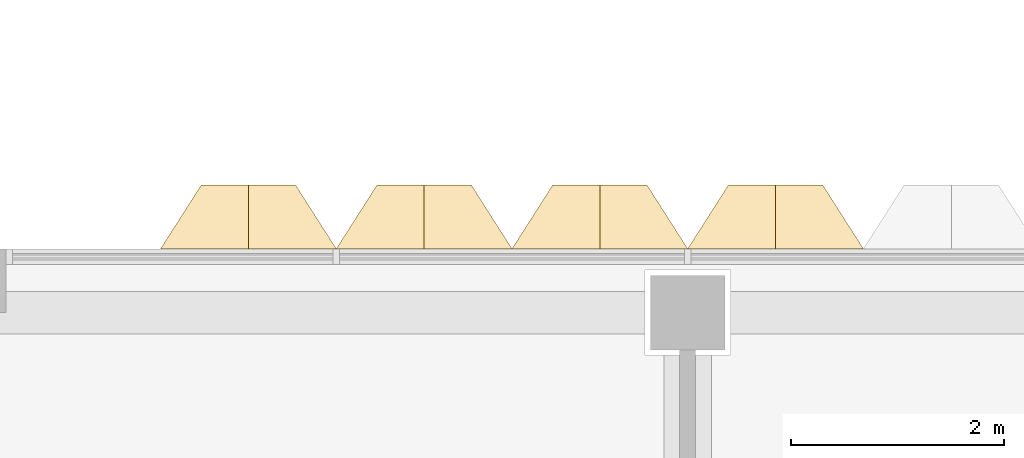
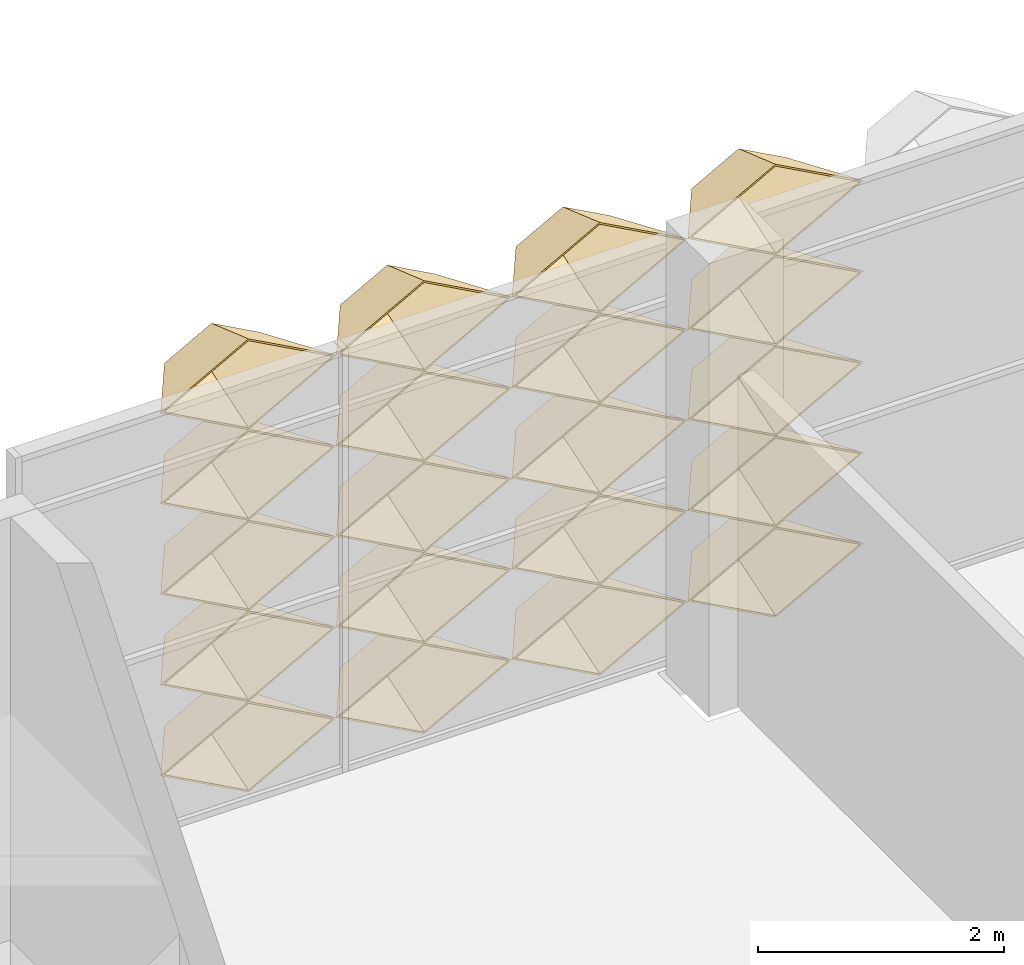
# One storey, part 72 of 109: 20 coverings.
"""IFC4 building model written with IfcOpenShell, lengths in metres."""

from ifc_helpers import new_model, entity, si_unit, direction, frame, origin, place, context, subcontext, project, spatial, material, layer, layer_set, type_object, element, save


model = new_model("IFC4")

# Units and contexts
model_context = context("Model", 3, precision=1e-05, world=origin(), true_north=direction((0.0, 1.0)))
body_context = subcontext(model_context, "Body", "Model", "MODEL_VIEW")
ifc_project = project(units=[si_unit("LENGTHUNIT", "METRE"), si_unit("AREAUNIT", "SQUARE_METRE"), si_unit("VOLUMEUNIT", "CUBIC_METRE"), si_unit("PLANEANGLEUNIT", "RADIAN"), si_unit("MASSUNIT", "GRAM", prefix="KILO")], contexts=[model_context])

# Site, building, storey
site_placement = place(None, origin())
site = spatial("IfcSite", under=ifc_project, at=site_placement, CompositionType="ELEMENT")
building_placement = place(site_placement, origin())
building = spatial("IfcBuilding", under=site, at=building_placement, Name="Lantern Court Research Institute", CompositionType="ELEMENT")
storey_placement = place(building_placement, frame((0.0, 0.0, 14.39990234375)))
storey = spatial("IfcBuildingStorey", under=building, at=storey_placement, Name="L03", CompositionType="ELEMENT", Elevation=14.39990234375)

# Coverings
ifc_material = material(Name="Anodised aluminium", Category="aluminium")
ifc_layer = layer(ifc_material, 0.01611328125)
ifc_layer_set = layer_set([ifc_layer], Name="Anodised aluminium")
covering_type = type_object("IfcCoveringType", Name="Fin cassette 1650 x 900 x 600 aluminium", PredefinedType="CLADDING", material=ifc_layer_set)
covering_1_placement = place(storey_placement, frame((9.074951171875, 23.699951171875, 0.4501953125), z_axis=(0.0, 1.0, 0.0), x_axis=(-1.0, 0.0, 0.0)))
cartesian_point_1 = entity("IfcCartesianPoint", [0.824951171875, 0.0])
cartesian_point_2 = entity("IfcCartesianPoint", [0.79150390625, 0.0])
cartesian_point_3 = entity("IfcCartesianPoint", [0.44189453125, 0.0])
cartesian_point_4 = entity("IfcCartesianPoint", [0.43359375, 0.0])
element("IfcCovering", 1, at=covering_1_placement, inside=storey, type_object=covering_type, Name="Fin cassette V4N-L03 1.6", PredefinedType="CLADDING", context=body_context, shape_type="SweptSolid", body=[
    entity("IfcExtrudedAreaSolidTapered", entity("IfcArbitraryProfileDefWithVoids", "AREA", None, entity("IfcPolyline", [cartesian_point_1, entity("IfcCartesianPoint", [0.0, 0.449951171875]), entity("IfcCartesianPoint", [-0.824951171875, 0.0]), entity("IfcCartesianPoint", [0.0, -0.449951171875]), cartesian_point_1]), [entity("IfcPolyline", [cartesian_point_2, entity("IfcCartesianPoint", [0.0, 0.431884765625]), entity("IfcCartesianPoint", [-0.79150390625, 0.0]), entity("IfcCartesianPoint", [0.0, -0.431884765625]), cartesian_point_2])]), entity("IfcAxis2Placement3D", entity("IfcCartesianPoint", [0.0, 0.0, 0.0])), entity("IfcDirection", [0.0, 0.0, 1.0]), 0.60009765625, entity("IfcArbitraryProfileDefWithVoids", "AREA", None, entity("IfcPolyline", [cartesian_point_3, entity("IfcCartesianPoint", [0.0, 0.240966796875]), entity("IfcCartesianPoint", [-0.44189453125, 0.0]), entity("IfcCartesianPoint", [0.0, -0.240966796875]), cartesian_point_3]), [entity("IfcPolyline", [cartesian_point_4, entity("IfcCartesianPoint", [0.0, 0.236572265625]), entity("IfcCartesianPoint", [-0.43359375, 0.0]), entity("IfcCartesianPoint", [0.0, -0.236572265625]), cartesian_point_4])])),
])
covering_2_placement = place(storey_placement, frame((10.72509765625, 23.699951171875, 0.4501953125), z_axis=(0.0, 1.0, 0.0), x_axis=(-1.0, 0.0, 0.0)))
cartesian_point_5 = entity("IfcCartesianPoint", [0.824951171875, 0.0])
cartesian_point_6 = entity("IfcCartesianPoint", [0.79150390625, 0.0])
cartesian_point_7 = entity("IfcCartesianPoint", [0.44189453125, 0.0])
cartesian_point_8 = entity("IfcCartesianPoint", [0.43359375, 0.0])
element("IfcCovering", 2, at=covering_2_placement, inside=storey, type_object=covering_type, Name="Fin cassette V4N-L03 1.7", PredefinedType="CLADDING", context=body_context, shape_type="SweptSolid", body=[
    entity("IfcExtrudedAreaSolidTapered", entity("IfcArbitraryProfileDefWithVoids", "AREA", None, entity("IfcPolyline", [cartesian_point_5, entity("IfcCartesianPoint", [0.0, 0.449951171875]), entity("IfcCartesianPoint", [-0.824951171875, 0.0]), entity("IfcCartesianPoint", [0.0, -0.449951171875]), cartesian_point_5]), [entity("IfcPolyline", [cartesian_point_6, entity("IfcCartesianPoint", [0.0, 0.431884765625]), entity("IfcCartesianPoint", [-0.79150390625, 0.0]), entity("IfcCartesianPoint", [0.0, -0.431884765625]), cartesian_point_6])]), entity("IfcAxis2Placement3D", entity("IfcCartesianPoint", [0.0, 0.0, 0.0])), entity("IfcDirection", [0.0, 0.0, 1.0]), 0.60009765625, entity("IfcArbitraryProfileDefWithVoids", "AREA", None, entity("IfcPolyline", [cartesian_point_7, entity("IfcCartesianPoint", [0.0, 0.240966796875]), entity("IfcCartesianPoint", [-0.44189453125, 0.0]), entity("IfcCartesianPoint", [0.0, -0.240966796875]), cartesian_point_7]), [entity("IfcPolyline", [cartesian_point_8, entity("IfcCartesianPoint", [0.0, 0.236572265625]), entity("IfcCartesianPoint", [-0.43359375, 0.0]), entity("IfcCartesianPoint", [0.0, -0.236572265625]), cartesian_point_8])])),
])
covering_3_placement = place(storey_placement, frame((12.375, 23.699951171875, 0.4501953125), z_axis=(0.0, 1.0, 0.0), x_axis=(-1.0, 0.0, 0.0)))
cartesian_point_9 = entity("IfcCartesianPoint", [0.824951171875, 0.0])
cartesian_point_10 = entity("IfcCartesianPoint", [0.79150390625, 0.0])
cartesian_point_11 = entity("IfcCartesianPoint", [0.44189453125, 0.0])
cartesian_point_12 = entity("IfcCartesianPoint", [0.43359375, 0.0])
element("IfcCovering", 3, at=covering_3_placement, inside=storey, type_object=covering_type, Name="Fin cassette V4N-L03 1.8", PredefinedType="CLADDING", context=body_context, shape_type="SweptSolid", body=[
    entity("IfcExtrudedAreaSolidTapered", entity("IfcArbitraryProfileDefWithVoids", "AREA", None, entity("IfcPolyline", [cartesian_point_9, entity("IfcCartesianPoint", [0.0, 0.449951171875]), entity("IfcCartesianPoint", [-0.824951171875, 0.0]), entity("IfcCartesianPoint", [0.0, -0.449951171875]), cartesian_point_9]), [entity("IfcPolyline", [cartesian_point_10, entity("IfcCartesianPoint", [0.0, 0.431884765625]), entity("IfcCartesianPoint", [-0.79150390625, 0.0]), entity("IfcCartesianPoint", [0.0, -0.431884765625]), cartesian_point_10])]), entity("IfcAxis2Placement3D", entity("IfcCartesianPoint", [0.0, 0.0, 0.0])), entity("IfcDirection", [0.0, 0.0, 1.0]), 0.60009765625, entity("IfcArbitraryProfileDefWithVoids", "AREA", None, entity("IfcPolyline", [cartesian_point_11, entity("IfcCartesianPoint", [0.0, 0.240966796875]), entity("IfcCartesianPoint", [-0.44189453125, 0.0]), entity("IfcCartesianPoint", [0.0, -0.240966796875]), cartesian_point_11]), [entity("IfcPolyline", [cartesian_point_12, entity("IfcCartesianPoint", [0.0, 0.236572265625]), entity("IfcCartesianPoint", [-0.43359375, 0.0]), entity("IfcCartesianPoint", [0.0, -0.236572265625]), cartesian_point_12])])),
])
covering_4_placement = place(storey_placement, frame((14.02490234375, 23.699951171875, 0.4501953125), z_axis=(0.0, 1.0, 0.0), x_axis=(-1.0, 0.0, 0.0)))
cartesian_point_13 = entity("IfcCartesianPoint", [0.824951171875, 0.0])
cartesian_point_14 = entity("IfcCartesianPoint", [0.79150390625, 0.0])
cartesian_point_15 = entity("IfcCartesianPoint", [0.44189453125, 0.0])
cartesian_point_16 = entity("IfcCartesianPoint", [0.43359375, 0.0])
element("IfcCovering", 4, at=covering_4_placement, inside=storey, type_object=covering_type, Name="Fin cassette V4N-L03 1.9", PredefinedType="CLADDING", context=body_context, shape_type="SweptSolid", body=[
    entity("IfcExtrudedAreaSolidTapered", entity("IfcArbitraryProfileDefWithVoids", "AREA", None, entity("IfcPolyline", [cartesian_point_13, entity("IfcCartesianPoint", [0.0, 0.449951171875]), entity("IfcCartesianPoint", [-0.824951171875, 0.0]), entity("IfcCartesianPoint", [0.0, -0.449951171875]), cartesian_point_13]), [entity("IfcPolyline", [cartesian_point_14, entity("IfcCartesianPoint", [0.0, 0.431884765625]), entity("IfcCartesianPoint", [-0.79150390625, 0.0]), entity("IfcCartesianPoint", [0.0, -0.431884765625]), cartesian_point_14])]), entity("IfcAxis2Placement3D", entity("IfcCartesianPoint", [0.0, 0.0, 0.0])), entity("IfcDirection", [0.0, 0.0, 1.0]), 0.60009765625, entity("IfcArbitraryProfileDefWithVoids", "AREA", None, entity("IfcPolyline", [cartesian_point_15, entity("IfcCartesianPoint", [0.0, 0.240966796875]), entity("IfcCartesianPoint", [-0.44189453125, 0.0]), entity("IfcCartesianPoint", [0.0, -0.240966796875]), cartesian_point_15]), [entity("IfcPolyline", [cartesian_point_16, entity("IfcCartesianPoint", [0.0, 0.236572265625]), entity("IfcCartesianPoint", [-0.43359375, 0.0]), entity("IfcCartesianPoint", [0.0, -0.236572265625]), cartesian_point_16])])),
])
covering_5_placement = place(storey_placement, frame((9.074951171875, 23.699951171875, 1.35009765625), z_axis=(0.0, 1.0, 0.0), x_axis=(-1.0, 0.0, 0.0)))
cartesian_point_17 = entity("IfcCartesianPoint", [0.824951171875, 0.0])
cartesian_point_18 = entity("IfcCartesianPoint", [0.79150390625, 0.0])
cartesian_point_19 = entity("IfcCartesianPoint", [0.44189453125, 0.0])
cartesian_point_20 = entity("IfcCartesianPoint", [0.43359375, 0.0])
element("IfcCovering", 5, at=covering_5_placement, inside=storey, type_object=covering_type, Name="Fin cassette V4N-L03 2.6", PredefinedType="CLADDING", context=body_context, shape_type="SweptSolid", body=[
    entity("IfcExtrudedAreaSolidTapered", entity("IfcArbitraryProfileDefWithVoids", "AREA", None, entity("IfcPolyline", [cartesian_point_17, entity("IfcCartesianPoint", [0.0, 0.449951171875]), entity("IfcCartesianPoint", [-0.824951171875, 0.0]), entity("IfcCartesianPoint", [0.0, -0.449951171875]), cartesian_point_17]), [entity("IfcPolyline", [cartesian_point_18, entity("IfcCartesianPoint", [0.0, 0.431884765625]), entity("IfcCartesianPoint", [-0.79150390625, 0.0]), entity("IfcCartesianPoint", [0.0, -0.431884765625]), cartesian_point_18])]), entity("IfcAxis2Placement3D", entity("IfcCartesianPoint", [0.0, 0.0, 0.0])), entity("IfcDirection", [0.0, 0.0, 1.0]), 0.60009765625, entity("IfcArbitraryProfileDefWithVoids", "AREA", None, entity("IfcPolyline", [cartesian_point_19, entity("IfcCartesianPoint", [0.0, 0.240966796875]), entity("IfcCartesianPoint", [-0.44189453125, 0.0]), entity("IfcCartesianPoint", [0.0, -0.240966796875]), cartesian_point_19]), [entity("IfcPolyline", [cartesian_point_20, entity("IfcCartesianPoint", [0.0, 0.236572265625]), entity("IfcCartesianPoint", [-0.43359375, 0.0]), entity("IfcCartesianPoint", [0.0, -0.236572265625]), cartesian_point_20])])),
])
covering_6_placement = place(storey_placement, frame((10.72509765625, 23.699951171875, 1.35009765625), z_axis=(0.0, 1.0, 0.0), x_axis=(-1.0, 0.0, 0.0)))
cartesian_point_21 = entity("IfcCartesianPoint", [0.824951171875, 0.0])
cartesian_point_22 = entity("IfcCartesianPoint", [0.79150390625, 0.0])
cartesian_point_23 = entity("IfcCartesianPoint", [0.44189453125, 0.0])
cartesian_point_24 = entity("IfcCartesianPoint", [0.43359375, 0.0])
element("IfcCovering", 6, at=covering_6_placement, inside=storey, type_object=covering_type, Name="Fin cassette V4N-L03 2.7", PredefinedType="CLADDING", context=body_context, shape_type="SweptSolid", body=[
    entity("IfcExtrudedAreaSolidTapered", entity("IfcArbitraryProfileDefWithVoids", "AREA", None, entity("IfcPolyline", [cartesian_point_21, entity("IfcCartesianPoint", [0.0, 0.449951171875]), entity("IfcCartesianPoint", [-0.824951171875, 0.0]), entity("IfcCartesianPoint", [0.0, -0.449951171875]), cartesian_point_21]), [entity("IfcPolyline", [cartesian_point_22, entity("IfcCartesianPoint", [0.0, 0.431884765625]), entity("IfcCartesianPoint", [-0.79150390625, 0.0]), entity("IfcCartesianPoint", [0.0, -0.431884765625]), cartesian_point_22])]), entity("IfcAxis2Placement3D", entity("IfcCartesianPoint", [0.0, 0.0, 0.0])), entity("IfcDirection", [0.0, 0.0, 1.0]), 0.60009765625, entity("IfcArbitraryProfileDefWithVoids", "AREA", None, entity("IfcPolyline", [cartesian_point_23, entity("IfcCartesianPoint", [0.0, 0.240966796875]), entity("IfcCartesianPoint", [-0.44189453125, 0.0]), entity("IfcCartesianPoint", [0.0, -0.240966796875]), cartesian_point_23]), [entity("IfcPolyline", [cartesian_point_24, entity("IfcCartesianPoint", [0.0, 0.236572265625]), entity("IfcCartesianPoint", [-0.43359375, 0.0]), entity("IfcCartesianPoint", [0.0, -0.236572265625]), cartesian_point_24])])),
])
covering_7_placement = place(storey_placement, frame((12.375, 23.699951171875, 1.35009765625), z_axis=(0.0, 1.0, 0.0), x_axis=(-1.0, 0.0, 0.0)))
cartesian_point_25 = entity("IfcCartesianPoint", [0.824951171875, 0.0])
cartesian_point_26 = entity("IfcCartesianPoint", [0.79150390625, 0.0])
cartesian_point_27 = entity("IfcCartesianPoint", [0.44189453125, 0.0])
cartesian_point_28 = entity("IfcCartesianPoint", [0.43359375, 0.0])
element("IfcCovering", 7, at=covering_7_placement, inside=storey, type_object=covering_type, Name="Fin cassette V4N-L03 2.8", PredefinedType="CLADDING", context=body_context, shape_type="SweptSolid", body=[
    entity("IfcExtrudedAreaSolidTapered", entity("IfcArbitraryProfileDefWithVoids", "AREA", None, entity("IfcPolyline", [cartesian_point_25, entity("IfcCartesianPoint", [0.0, 0.449951171875]), entity("IfcCartesianPoint", [-0.824951171875, 0.0]), entity("IfcCartesianPoint", [0.0, -0.449951171875]), cartesian_point_25]), [entity("IfcPolyline", [cartesian_point_26, entity("IfcCartesianPoint", [0.0, 0.431884765625]), entity("IfcCartesianPoint", [-0.79150390625, 0.0]), entity("IfcCartesianPoint", [0.0, -0.431884765625]), cartesian_point_26])]), entity("IfcAxis2Placement3D", entity("IfcCartesianPoint", [0.0, 0.0, 0.0])), entity("IfcDirection", [0.0, 0.0, 1.0]), 0.60009765625, entity("IfcArbitraryProfileDefWithVoids", "AREA", None, entity("IfcPolyline", [cartesian_point_27, entity("IfcCartesianPoint", [0.0, 0.240966796875]), entity("IfcCartesianPoint", [-0.44189453125, 0.0]), entity("IfcCartesianPoint", [0.0, -0.240966796875]), cartesian_point_27]), [entity("IfcPolyline", [cartesian_point_28, entity("IfcCartesianPoint", [0.0, 0.236572265625]), entity("IfcCartesianPoint", [-0.43359375, 0.0]), entity("IfcCartesianPoint", [0.0, -0.236572265625]), cartesian_point_28])])),
])
covering_8_placement = place(storey_placement, frame((14.02490234375, 23.699951171875, 1.35009765625), z_axis=(0.0, 1.0, 0.0), x_axis=(-1.0, 0.0, 0.0)))
cartesian_point_29 = entity("IfcCartesianPoint", [0.824951171875, 0.0])
cartesian_point_30 = entity("IfcCartesianPoint", [0.79150390625, 0.0])
cartesian_point_31 = entity("IfcCartesianPoint", [0.44189453125, 0.0])
cartesian_point_32 = entity("IfcCartesianPoint", [0.43359375, 0.0])
element("IfcCovering", 8, at=covering_8_placement, inside=storey, type_object=covering_type, Name="Fin cassette V4N-L03 2.9", PredefinedType="CLADDING", context=body_context, shape_type="SweptSolid", body=[
    entity("IfcExtrudedAreaSolidTapered", entity("IfcArbitraryProfileDefWithVoids", "AREA", None, entity("IfcPolyline", [cartesian_point_29, entity("IfcCartesianPoint", [0.0, 0.449951171875]), entity("IfcCartesianPoint", [-0.824951171875, 0.0]), entity("IfcCartesianPoint", [0.0, -0.449951171875]), cartesian_point_29]), [entity("IfcPolyline", [cartesian_point_30, entity("IfcCartesianPoint", [0.0, 0.431884765625]), entity("IfcCartesianPoint", [-0.79150390625, 0.0]), entity("IfcCartesianPoint", [0.0, -0.431884765625]), cartesian_point_30])]), entity("IfcAxis2Placement3D", entity("IfcCartesianPoint", [0.0, 0.0, 0.0])), entity("IfcDirection", [0.0, 0.0, 1.0]), 0.60009765625, entity("IfcArbitraryProfileDefWithVoids", "AREA", None, entity("IfcPolyline", [cartesian_point_31, entity("IfcCartesianPoint", [0.0, 0.240966796875]), entity("IfcCartesianPoint", [-0.44189453125, 0.0]), entity("IfcCartesianPoint", [0.0, -0.240966796875]), cartesian_point_31]), [entity("IfcPolyline", [cartesian_point_32, entity("IfcCartesianPoint", [0.0, 0.236572265625]), entity("IfcCartesianPoint", [-0.43359375, 0.0]), entity("IfcCartesianPoint", [0.0, -0.236572265625]), cartesian_point_32])])),
])
covering_9_placement = place(storey_placement, frame((9.074951171875, 23.699951171875, 2.25), z_axis=(0.0, 1.0, 0.0), x_axis=(-1.0, 0.0, 0.0)))
cartesian_point_33 = entity("IfcCartesianPoint", [0.824951171875, 0.0])
cartesian_point_34 = entity("IfcCartesianPoint", [0.79150390625, 0.0])
cartesian_point_35 = entity("IfcCartesianPoint", [0.44189453125, 0.0])
cartesian_point_36 = entity("IfcCartesianPoint", [0.43359375, 0.0])
element("IfcCovering", 9, at=covering_9_placement, inside=storey, type_object=covering_type, Name="Fin cassette V4N-L03 3.6", PredefinedType="CLADDING", context=body_context, shape_type="SweptSolid", body=[
    entity("IfcExtrudedAreaSolidTapered", entity("IfcArbitraryProfileDefWithVoids", "AREA", None, entity("IfcPolyline", [cartesian_point_33, entity("IfcCartesianPoint", [0.0, 0.449951171875]), entity("IfcCartesianPoint", [-0.824951171875, 0.0]), entity("IfcCartesianPoint", [0.0, -0.449951171875]), cartesian_point_33]), [entity("IfcPolyline", [cartesian_point_34, entity("IfcCartesianPoint", [0.0, 0.431884765625]), entity("IfcCartesianPoint", [-0.79150390625, 0.0]), entity("IfcCartesianPoint", [0.0, -0.431884765625]), cartesian_point_34])]), entity("IfcAxis2Placement3D", entity("IfcCartesianPoint", [0.0, 0.0, 0.0])), entity("IfcDirection", [0.0, 0.0, 1.0]), 0.60009765625, entity("IfcArbitraryProfileDefWithVoids", "AREA", None, entity("IfcPolyline", [cartesian_point_35, entity("IfcCartesianPoint", [0.0, 0.240966796875]), entity("IfcCartesianPoint", [-0.44189453125, 0.0]), entity("IfcCartesianPoint", [0.0, -0.240966796875]), cartesian_point_35]), [entity("IfcPolyline", [cartesian_point_36, entity("IfcCartesianPoint", [0.0, 0.236572265625]), entity("IfcCartesianPoint", [-0.43359375, 0.0]), entity("IfcCartesianPoint", [0.0, -0.236572265625]), cartesian_point_36])])),
])
covering_10_placement = place(storey_placement, frame((10.72509765625, 23.699951171875, 2.25), z_axis=(0.0, 1.0, 0.0), x_axis=(-1.0, 0.0, 0.0)))
cartesian_point_37 = entity("IfcCartesianPoint", [0.824951171875, 0.0])
cartesian_point_38 = entity("IfcCartesianPoint", [0.79150390625, 0.0])
cartesian_point_39 = entity("IfcCartesianPoint", [0.44189453125, 0.0])
cartesian_point_40 = entity("IfcCartesianPoint", [0.43359375, 0.0])
element("IfcCovering", 10, at=covering_10_placement, inside=storey, type_object=covering_type, Name="Fin cassette V4N-L03 3.7", PredefinedType="CLADDING", context=body_context, shape_type="SweptSolid", body=[
    entity("IfcExtrudedAreaSolidTapered", entity("IfcArbitraryProfileDefWithVoids", "AREA", None, entity("IfcPolyline", [cartesian_point_37, entity("IfcCartesianPoint", [0.0, 0.449951171875]), entity("IfcCartesianPoint", [-0.824951171875, 0.0]), entity("IfcCartesianPoint", [0.0, -0.449951171875]), cartesian_point_37]), [entity("IfcPolyline", [cartesian_point_38, entity("IfcCartesianPoint", [0.0, 0.431884765625]), entity("IfcCartesianPoint", [-0.79150390625, 0.0]), entity("IfcCartesianPoint", [0.0, -0.431884765625]), cartesian_point_38])]), entity("IfcAxis2Placement3D", entity("IfcCartesianPoint", [0.0, 0.0, 0.0])), entity("IfcDirection", [0.0, 0.0, 1.0]), 0.60009765625, entity("IfcArbitraryProfileDefWithVoids", "AREA", None, entity("IfcPolyline", [cartesian_point_39, entity("IfcCartesianPoint", [0.0, 0.240966796875]), entity("IfcCartesianPoint", [-0.44189453125, 0.0]), entity("IfcCartesianPoint", [0.0, -0.240966796875]), cartesian_point_39]), [entity("IfcPolyline", [cartesian_point_40, entity("IfcCartesianPoint", [0.0, 0.236572265625]), entity("IfcCartesianPoint", [-0.43359375, 0.0]), entity("IfcCartesianPoint", [0.0, -0.236572265625]), cartesian_point_40])])),
])
covering_11_placement = place(storey_placement, frame((12.375, 23.699951171875, 2.25), z_axis=(0.0, 1.0, 0.0), x_axis=(-1.0, 0.0, 0.0)))
cartesian_point_41 = entity("IfcCartesianPoint", [0.824951171875, 0.0])
cartesian_point_42 = entity("IfcCartesianPoint", [0.79150390625, 0.0])
cartesian_point_43 = entity("IfcCartesianPoint", [0.44189453125, 0.0])
cartesian_point_44 = entity("IfcCartesianPoint", [0.43359375, 0.0])
element("IfcCovering", 11, at=covering_11_placement, inside=storey, type_object=covering_type, Name="Fin cassette V4N-L03 3.8", PredefinedType="CLADDING", context=body_context, shape_type="SweptSolid", body=[
    entity("IfcExtrudedAreaSolidTapered", entity("IfcArbitraryProfileDefWithVoids", "AREA", None, entity("IfcPolyline", [cartesian_point_41, entity("IfcCartesianPoint", [0.0, 0.449951171875]), entity("IfcCartesianPoint", [-0.824951171875, 0.0]), entity("IfcCartesianPoint", [0.0, -0.449951171875]), cartesian_point_41]), [entity("IfcPolyline", [cartesian_point_42, entity("IfcCartesianPoint", [0.0, 0.431884765625]), entity("IfcCartesianPoint", [-0.79150390625, 0.0]), entity("IfcCartesianPoint", [0.0, -0.431884765625]), cartesian_point_42])]), entity("IfcAxis2Placement3D", entity("IfcCartesianPoint", [0.0, 0.0, 0.0])), entity("IfcDirection", [0.0, 0.0, 1.0]), 0.60009765625, entity("IfcArbitraryProfileDefWithVoids", "AREA", None, entity("IfcPolyline", [cartesian_point_43, entity("IfcCartesianPoint", [0.0, 0.240966796875]), entity("IfcCartesianPoint", [-0.44189453125, 0.0]), entity("IfcCartesianPoint", [0.0, -0.240966796875]), cartesian_point_43]), [entity("IfcPolyline", [cartesian_point_44, entity("IfcCartesianPoint", [0.0, 0.236572265625]), entity("IfcCartesianPoint", [-0.43359375, 0.0]), entity("IfcCartesianPoint", [0.0, -0.236572265625]), cartesian_point_44])])),
])
covering_12_placement = place(storey_placement, frame((14.02490234375, 23.699951171875, 2.25), z_axis=(0.0, 1.0, 0.0), x_axis=(-1.0, 0.0, 0.0)))
cartesian_point_45 = entity("IfcCartesianPoint", [0.824951171875, 0.0])
cartesian_point_46 = entity("IfcCartesianPoint", [0.79150390625, 0.0])
cartesian_point_47 = entity("IfcCartesianPoint", [0.44189453125, 0.0])
cartesian_point_48 = entity("IfcCartesianPoint", [0.43359375, 0.0])
element("IfcCovering", 12, at=covering_12_placement, inside=storey, type_object=covering_type, Name="Fin cassette V4N-L03 3.9", PredefinedType="CLADDING", context=body_context, shape_type="SweptSolid", body=[
    entity("IfcExtrudedAreaSolidTapered", entity("IfcArbitraryProfileDefWithVoids", "AREA", None, entity("IfcPolyline", [cartesian_point_45, entity("IfcCartesianPoint", [0.0, 0.449951171875]), entity("IfcCartesianPoint", [-0.824951171875, 0.0]), entity("IfcCartesianPoint", [0.0, -0.449951171875]), cartesian_point_45]), [entity("IfcPolyline", [cartesian_point_46, entity("IfcCartesianPoint", [0.0, 0.431884765625]), entity("IfcCartesianPoint", [-0.79150390625, 0.0]), entity("IfcCartesianPoint", [0.0, -0.431884765625]), cartesian_point_46])]), entity("IfcAxis2Placement3D", entity("IfcCartesianPoint", [0.0, 0.0, 0.0])), entity("IfcDirection", [0.0, 0.0, 1.0]), 0.60009765625, entity("IfcArbitraryProfileDefWithVoids", "AREA", None, entity("IfcPolyline", [cartesian_point_47, entity("IfcCartesianPoint", [0.0, 0.240966796875]), entity("IfcCartesianPoint", [-0.44189453125, 0.0]), entity("IfcCartesianPoint", [0.0, -0.240966796875]), cartesian_point_47]), [entity("IfcPolyline", [cartesian_point_48, entity("IfcCartesianPoint", [0.0, 0.236572265625]), entity("IfcCartesianPoint", [-0.43359375, 0.0]), entity("IfcCartesianPoint", [0.0, -0.236572265625]), cartesian_point_48])])),
])
covering_13_placement = place(storey_placement, frame((9.074951171875, 23.699951171875, 3.150146484375), z_axis=(0.0, 1.0, 0.0), x_axis=(-1.0, 0.0, 0.0)))
cartesian_point_49 = entity("IfcCartesianPoint", [0.824951171875, 0.0])
cartesian_point_50 = entity("IfcCartesianPoint", [0.79150390625, 0.0])
cartesian_point_51 = entity("IfcCartesianPoint", [0.44189453125, 0.0])
cartesian_point_52 = entity("IfcCartesianPoint", [0.43359375, 0.0])
element("IfcCovering", 13, at=covering_13_placement, inside=storey, type_object=covering_type, Name="Fin cassette V4N-L03 4.6", PredefinedType="CLADDING", context=body_context, shape_type="SweptSolid", body=[
    entity("IfcExtrudedAreaSolidTapered", entity("IfcArbitraryProfileDefWithVoids", "AREA", None, entity("IfcPolyline", [cartesian_point_49, entity("IfcCartesianPoint", [0.0, 0.449951171875]), entity("IfcCartesianPoint", [-0.824951171875, 0.0]), entity("IfcCartesianPoint", [0.0, -0.449951171875]), cartesian_point_49]), [entity("IfcPolyline", [cartesian_point_50, entity("IfcCartesianPoint", [0.0, 0.431884765625]), entity("IfcCartesianPoint", [-0.79150390625, 0.0]), entity("IfcCartesianPoint", [0.0, -0.431884765625]), cartesian_point_50])]), entity("IfcAxis2Placement3D", entity("IfcCartesianPoint", [0.0, 0.0, 0.0])), entity("IfcDirection", [0.0, 0.0, 1.0]), 0.60009765625, entity("IfcArbitraryProfileDefWithVoids", "AREA", None, entity("IfcPolyline", [cartesian_point_51, entity("IfcCartesianPoint", [0.0, 0.240966796875]), entity("IfcCartesianPoint", [-0.44189453125, 0.0]), entity("IfcCartesianPoint", [0.0, -0.240966796875]), cartesian_point_51]), [entity("IfcPolyline", [cartesian_point_52, entity("IfcCartesianPoint", [0.0, 0.236572265625]), entity("IfcCartesianPoint", [-0.43359375, 0.0]), entity("IfcCartesianPoint", [0.0, -0.236572265625]), cartesian_point_52])])),
])
covering_14_placement = place(storey_placement, frame((10.72509765625, 23.699951171875, 3.150146484375), z_axis=(0.0, 1.0, 0.0), x_axis=(-1.0, 0.0, 0.0)))
cartesian_point_53 = entity("IfcCartesianPoint", [0.824951171875, 0.0])
cartesian_point_54 = entity("IfcCartesianPoint", [0.79150390625, 0.0])
cartesian_point_55 = entity("IfcCartesianPoint", [0.44189453125, 0.0])
cartesian_point_56 = entity("IfcCartesianPoint", [0.43359375, 0.0])
element("IfcCovering", 14, at=covering_14_placement, inside=storey, type_object=covering_type, Name="Fin cassette V4N-L03 4.7", PredefinedType="CLADDING", context=body_context, shape_type="SweptSolid", body=[
    entity("IfcExtrudedAreaSolidTapered", entity("IfcArbitraryProfileDefWithVoids", "AREA", None, entity("IfcPolyline", [cartesian_point_53, entity("IfcCartesianPoint", [0.0, 0.449951171875]), entity("IfcCartesianPoint", [-0.824951171875, 0.0]), entity("IfcCartesianPoint", [0.0, -0.449951171875]), cartesian_point_53]), [entity("IfcPolyline", [cartesian_point_54, entity("IfcCartesianPoint", [0.0, 0.431884765625]), entity("IfcCartesianPoint", [-0.79150390625, 0.0]), entity("IfcCartesianPoint", [0.0, -0.431884765625]), cartesian_point_54])]), entity("IfcAxis2Placement3D", entity("IfcCartesianPoint", [0.0, 0.0, 0.0])), entity("IfcDirection", [0.0, 0.0, 1.0]), 0.60009765625, entity("IfcArbitraryProfileDefWithVoids", "AREA", None, entity("IfcPolyline", [cartesian_point_55, entity("IfcCartesianPoint", [0.0, 0.240966796875]), entity("IfcCartesianPoint", [-0.44189453125, 0.0]), entity("IfcCartesianPoint", [0.0, -0.240966796875]), cartesian_point_55]), [entity("IfcPolyline", [cartesian_point_56, entity("IfcCartesianPoint", [0.0, 0.236572265625]), entity("IfcCartesianPoint", [-0.43359375, 0.0]), entity("IfcCartesianPoint", [0.0, -0.236572265625]), cartesian_point_56])])),
])
covering_15_placement = place(storey_placement, frame((12.375, 23.699951171875, 3.150146484375), z_axis=(0.0, 1.0, 0.0), x_axis=(-1.0, 0.0, 0.0)))
cartesian_point_57 = entity("IfcCartesianPoint", [0.824951171875, 0.0])
cartesian_point_58 = entity("IfcCartesianPoint", [0.79150390625, 0.0])
cartesian_point_59 = entity("IfcCartesianPoint", [0.44189453125, 0.0])
cartesian_point_60 = entity("IfcCartesianPoint", [0.43359375, 0.0])
element("IfcCovering", 15, at=covering_15_placement, inside=storey, type_object=covering_type, Name="Fin cassette V4N-L03 4.8", PredefinedType="CLADDING", context=body_context, shape_type="SweptSolid", body=[
    entity("IfcExtrudedAreaSolidTapered", entity("IfcArbitraryProfileDefWithVoids", "AREA", None, entity("IfcPolyline", [cartesian_point_57, entity("IfcCartesianPoint", [0.0, 0.449951171875]), entity("IfcCartesianPoint", [-0.824951171875, 0.0]), entity("IfcCartesianPoint", [0.0, -0.449951171875]), cartesian_point_57]), [entity("IfcPolyline", [cartesian_point_58, entity("IfcCartesianPoint", [0.0, 0.431884765625]), entity("IfcCartesianPoint", [-0.79150390625, 0.0]), entity("IfcCartesianPoint", [0.0, -0.431884765625]), cartesian_point_58])]), entity("IfcAxis2Placement3D", entity("IfcCartesianPoint", [0.0, 0.0, 0.0])), entity("IfcDirection", [0.0, 0.0, 1.0]), 0.60009765625, entity("IfcArbitraryProfileDefWithVoids", "AREA", None, entity("IfcPolyline", [cartesian_point_59, entity("IfcCartesianPoint", [0.0, 0.240966796875]), entity("IfcCartesianPoint", [-0.44189453125, 0.0]), entity("IfcCartesianPoint", [0.0, -0.240966796875]), cartesian_point_59]), [entity("IfcPolyline", [cartesian_point_60, entity("IfcCartesianPoint", [0.0, 0.236572265625]), entity("IfcCartesianPoint", [-0.43359375, 0.0]), entity("IfcCartesianPoint", [0.0, -0.236572265625]), cartesian_point_60])])),
])
covering_16_placement = place(storey_placement, frame((14.02490234375, 23.699951171875, 3.150146484375), z_axis=(0.0, 1.0, 0.0), x_axis=(-1.0, 0.0, 0.0)))
cartesian_point_61 = entity("IfcCartesianPoint", [0.824951171875, 0.0])
cartesian_point_62 = entity("IfcCartesianPoint", [0.79150390625, 0.0])
cartesian_point_63 = entity("IfcCartesianPoint", [0.44189453125, 0.0])
cartesian_point_64 = entity("IfcCartesianPoint", [0.43359375, 0.0])
element("IfcCovering", 16, at=covering_16_placement, inside=storey, type_object=covering_type, Name="Fin cassette V4N-L03 4.9", PredefinedType="CLADDING", context=body_context, shape_type="SweptSolid", body=[
    entity("IfcExtrudedAreaSolidTapered", entity("IfcArbitraryProfileDefWithVoids", "AREA", None, entity("IfcPolyline", [cartesian_point_61, entity("IfcCartesianPoint", [0.0, 0.449951171875]), entity("IfcCartesianPoint", [-0.824951171875, 0.0]), entity("IfcCartesianPoint", [0.0, -0.449951171875]), cartesian_point_61]), [entity("IfcPolyline", [cartesian_point_62, entity("IfcCartesianPoint", [0.0, 0.431884765625]), entity("IfcCartesianPoint", [-0.79150390625, 0.0]), entity("IfcCartesianPoint", [0.0, -0.431884765625]), cartesian_point_62])]), entity("IfcAxis2Placement3D", entity("IfcCartesianPoint", [0.0, 0.0, 0.0])), entity("IfcDirection", [0.0, 0.0, 1.0]), 0.60009765625, entity("IfcArbitraryProfileDefWithVoids", "AREA", None, entity("IfcPolyline", [cartesian_point_63, entity("IfcCartesianPoint", [0.0, 0.240966796875]), entity("IfcCartesianPoint", [-0.44189453125, 0.0]), entity("IfcCartesianPoint", [0.0, -0.240966796875]), cartesian_point_63]), [entity("IfcPolyline", [cartesian_point_64, entity("IfcCartesianPoint", [0.0, 0.236572265625]), entity("IfcCartesianPoint", [-0.43359375, 0.0]), entity("IfcCartesianPoint", [0.0, -0.236572265625]), cartesian_point_64])])),
])
covering_17_placement = place(storey_placement, frame((9.074951171875, 23.699951171875, 4.050048828125), z_axis=(0.0, 1.0, 0.0), x_axis=(-1.0, 0.0, 0.0)))
cartesian_point_65 = entity("IfcCartesianPoint", [0.824951171875, 0.0])
cartesian_point_66 = entity("IfcCartesianPoint", [0.79150390625, 0.0])
cartesian_point_67 = entity("IfcCartesianPoint", [0.44189453125, 0.0])
cartesian_point_68 = entity("IfcCartesianPoint", [0.43359375, 0.0])
element("IfcCovering", 17, at=covering_17_placement, inside=storey, type_object=covering_type, Name="Fin cassette V4N-L03 5.6", PredefinedType="CLADDING", context=body_context, shape_type="SweptSolid", body=[
    entity("IfcExtrudedAreaSolidTapered", entity("IfcArbitraryProfileDefWithVoids", "AREA", None, entity("IfcPolyline", [cartesian_point_65, entity("IfcCartesianPoint", [0.0, 0.449951171875]), entity("IfcCartesianPoint", [-0.824951171875, 0.0]), entity("IfcCartesianPoint", [0.0, -0.449951171875]), cartesian_point_65]), [entity("IfcPolyline", [cartesian_point_66, entity("IfcCartesianPoint", [0.0, 0.431884765625]), entity("IfcCartesianPoint", [-0.79150390625, 0.0]), entity("IfcCartesianPoint", [0.0, -0.431884765625]), cartesian_point_66])]), entity("IfcAxis2Placement3D", entity("IfcCartesianPoint", [0.0, 0.0, 0.0])), entity("IfcDirection", [0.0, 0.0, 1.0]), 0.60009765625, entity("IfcArbitraryProfileDefWithVoids", "AREA", None, entity("IfcPolyline", [cartesian_point_67, entity("IfcCartesianPoint", [0.0, 0.240966796875]), entity("IfcCartesianPoint", [-0.44189453125, 0.0]), entity("IfcCartesianPoint", [0.0, -0.240966796875]), cartesian_point_67]), [entity("IfcPolyline", [cartesian_point_68, entity("IfcCartesianPoint", [0.0, 0.236572265625]), entity("IfcCartesianPoint", [-0.43359375, 0.0]), entity("IfcCartesianPoint", [0.0, -0.236572265625]), cartesian_point_68])])),
])
covering_18_placement = place(storey_placement, frame((10.72509765625, 23.699951171875, 4.050048828125), z_axis=(0.0, 1.0, 0.0), x_axis=(-1.0, 0.0, 0.0)))
cartesian_point_69 = entity("IfcCartesianPoint", [0.824951171875, 0.0])
cartesian_point_70 = entity("IfcCartesianPoint", [0.79150390625, 0.0])
cartesian_point_71 = entity("IfcCartesianPoint", [0.44189453125, 0.0])
cartesian_point_72 = entity("IfcCartesianPoint", [0.43359375, 0.0])
element("IfcCovering", 18, at=covering_18_placement, inside=storey, type_object=covering_type, Name="Fin cassette V4N-L03 5.7", PredefinedType="CLADDING", context=body_context, shape_type="SweptSolid", body=[
    entity("IfcExtrudedAreaSolidTapered", entity("IfcArbitraryProfileDefWithVoids", "AREA", None, entity("IfcPolyline", [cartesian_point_69, entity("IfcCartesianPoint", [0.0, 0.449951171875]), entity("IfcCartesianPoint", [-0.824951171875, 0.0]), entity("IfcCartesianPoint", [0.0, -0.449951171875]), cartesian_point_69]), [entity("IfcPolyline", [cartesian_point_70, entity("IfcCartesianPoint", [0.0, 0.431884765625]), entity("IfcCartesianPoint", [-0.79150390625, 0.0]), entity("IfcCartesianPoint", [0.0, -0.431884765625]), cartesian_point_70])]), entity("IfcAxis2Placement3D", entity("IfcCartesianPoint", [0.0, 0.0, 0.0])), entity("IfcDirection", [0.0, 0.0, 1.0]), 0.60009765625, entity("IfcArbitraryProfileDefWithVoids", "AREA", None, entity("IfcPolyline", [cartesian_point_71, entity("IfcCartesianPoint", [0.0, 0.240966796875]), entity("IfcCartesianPoint", [-0.44189453125, 0.0]), entity("IfcCartesianPoint", [0.0, -0.240966796875]), cartesian_point_71]), [entity("IfcPolyline", [cartesian_point_72, entity("IfcCartesianPoint", [0.0, 0.236572265625]), entity("IfcCartesianPoint", [-0.43359375, 0.0]), entity("IfcCartesianPoint", [0.0, -0.236572265625]), cartesian_point_72])])),
])
covering_19_placement = place(storey_placement, frame((12.375, 23.699951171875, 4.050048828125), z_axis=(0.0, 1.0, 0.0), x_axis=(-1.0, 0.0, 0.0)))
cartesian_point_73 = entity("IfcCartesianPoint", [0.824951171875, 0.0])
cartesian_point_74 = entity("IfcCartesianPoint", [0.79150390625, 0.0])
cartesian_point_75 = entity("IfcCartesianPoint", [0.44189453125, 0.0])
cartesian_point_76 = entity("IfcCartesianPoint", [0.43359375, 0.0])
element("IfcCovering", 19, at=covering_19_placement, inside=storey, type_object=covering_type, Name="Fin cassette V4N-L03 5.8", PredefinedType="CLADDING", context=body_context, shape_type="SweptSolid", body=[
    entity("IfcExtrudedAreaSolidTapered", entity("IfcArbitraryProfileDefWithVoids", "AREA", None, entity("IfcPolyline", [cartesian_point_73, entity("IfcCartesianPoint", [0.0, 0.449951171875]), entity("IfcCartesianPoint", [-0.824951171875, 0.0]), entity("IfcCartesianPoint", [0.0, -0.449951171875]), cartesian_point_73]), [entity("IfcPolyline", [cartesian_point_74, entity("IfcCartesianPoint", [0.0, 0.431884765625]), entity("IfcCartesianPoint", [-0.79150390625, 0.0]), entity("IfcCartesianPoint", [0.0, -0.431884765625]), cartesian_point_74])]), entity("IfcAxis2Placement3D", entity("IfcCartesianPoint", [0.0, 0.0, 0.0])), entity("IfcDirection", [0.0, 0.0, 1.0]), 0.60009765625, entity("IfcArbitraryProfileDefWithVoids", "AREA", None, entity("IfcPolyline", [cartesian_point_75, entity("IfcCartesianPoint", [0.0, 0.240966796875]), entity("IfcCartesianPoint", [-0.44189453125, 0.0]), entity("IfcCartesianPoint", [0.0, -0.240966796875]), cartesian_point_75]), [entity("IfcPolyline", [cartesian_point_76, entity("IfcCartesianPoint", [0.0, 0.236572265625]), entity("IfcCartesianPoint", [-0.43359375, 0.0]), entity("IfcCartesianPoint", [0.0, -0.236572265625]), cartesian_point_76])])),
])
covering_20_placement = place(storey_placement, frame((14.02490234375, 23.699951171875, 4.050048828125), z_axis=(0.0, 1.0, 0.0), x_axis=(-1.0, 0.0, 0.0)))
cartesian_point_77 = entity("IfcCartesianPoint", [0.824951171875, 0.0])
cartesian_point_78 = entity("IfcCartesianPoint", [0.79150390625, 0.0])
cartesian_point_79 = entity("IfcCartesianPoint", [0.44189453125, 0.0])
cartesian_point_80 = entity("IfcCartesianPoint", [0.43359375, 0.0])
element("IfcCovering", 20, at=covering_20_placement, inside=storey, type_object=covering_type, Name="Fin cassette V4N-L03 5.9", PredefinedType="CLADDING", context=body_context, shape_type="SweptSolid", body=[
    entity("IfcExtrudedAreaSolidTapered", entity("IfcArbitraryProfileDefWithVoids", "AREA", None, entity("IfcPolyline", [cartesian_point_77, entity("IfcCartesianPoint", [0.0, 0.449951171875]), entity("IfcCartesianPoint", [-0.824951171875, 0.0]), entity("IfcCartesianPoint", [0.0, -0.449951171875]), cartesian_point_77]), [entity("IfcPolyline", [cartesian_point_78, entity("IfcCartesianPoint", [0.0, 0.431884765625]), entity("IfcCartesianPoint", [-0.79150390625, 0.0]), entity("IfcCartesianPoint", [0.0, -0.431884765625]), cartesian_point_78])]), entity("IfcAxis2Placement3D", entity("IfcCartesianPoint", [0.0, 0.0, 0.0])), entity("IfcDirection", [0.0, 0.0, 1.0]), 0.60009765625, entity("IfcArbitraryProfileDefWithVoids", "AREA", None, entity("IfcPolyline", [cartesian_point_79, entity("IfcCartesianPoint", [0.0, 0.240966796875]), entity("IfcCartesianPoint", [-0.44189453125, 0.0]), entity("IfcCartesianPoint", [0.0, -0.240966796875]), cartesian_point_79]), [entity("IfcPolyline", [cartesian_point_80, entity("IfcCartesianPoint", [0.0, 0.236572265625]), entity("IfcCartesianPoint", [-0.43359375, 0.0]), entity("IfcCartesianPoint", [0.0, -0.236572265625]), cartesian_point_80])])),
])

save(model, "model.ifc")
